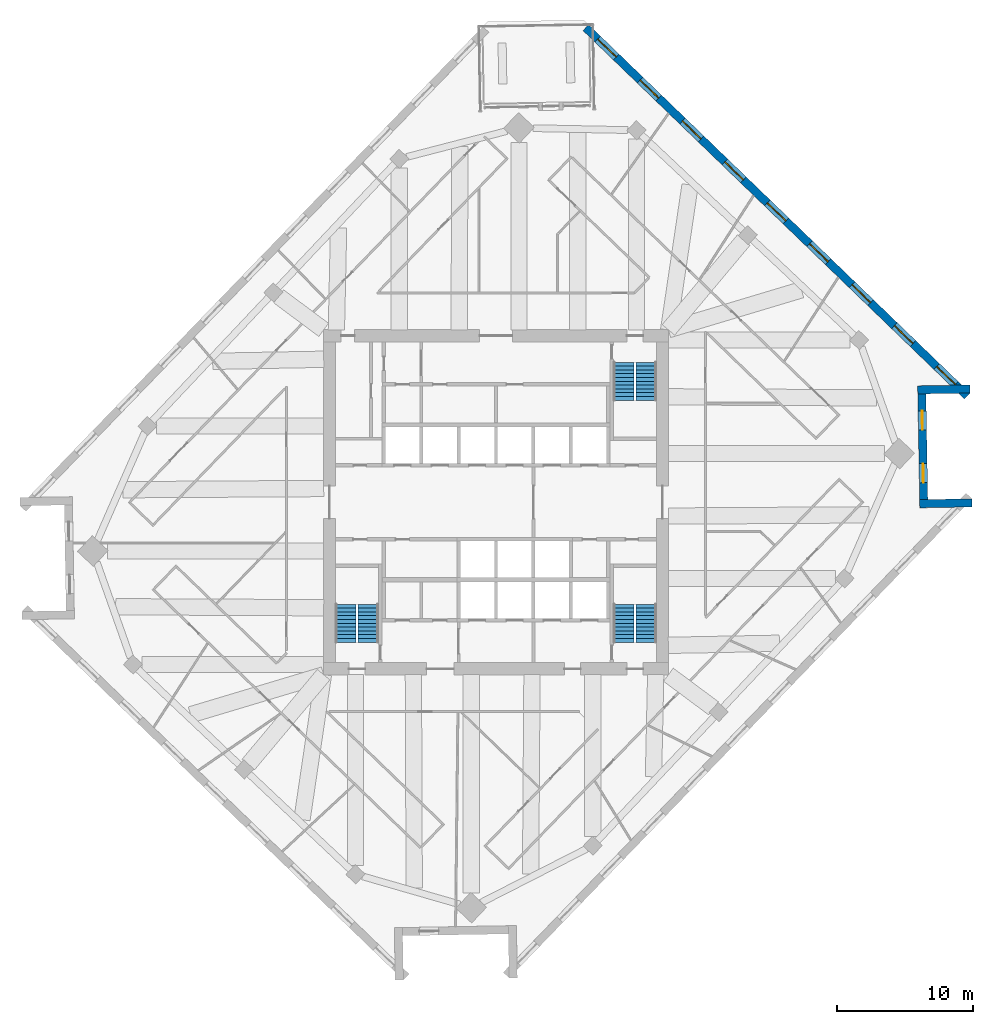
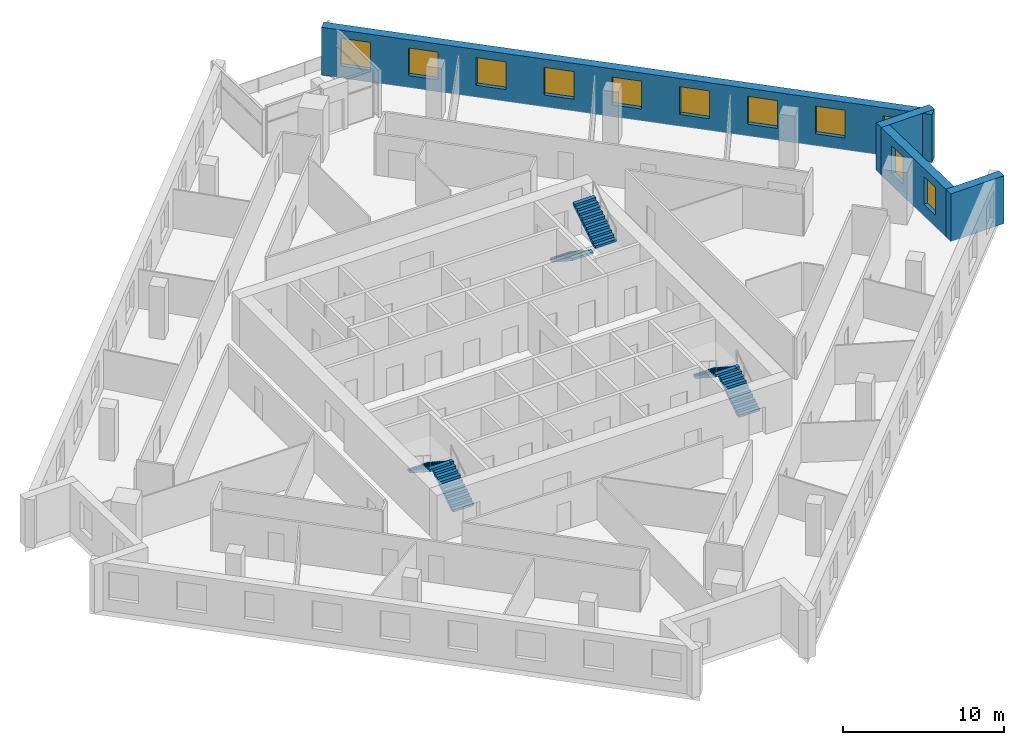
# One storey, part 11 of 13: 11 windows, 6 stair flights, 4 walls, 11 openings, 3 elements without a shape of their own.
"""IFC4 building model written with IfcOpenShell, lengths in metres."""

import ifcopenshell
import ifcopenshell.guid

model = None  # the IFC model being written
_history = None  # IfcOwnerHistory: only IFC2X3 demands one
_inside = {}  # id of a spatial element -> (the spatial element, [elements in it])
_under = {}  # id of a project, library or spatial element -> (it, [spatial elements below it])
_declared = {}  # id of a project -> (the project, [libraries it declares])
_typed = {}  # id of a type object -> (the type object, [elements of that type])
_made_of = {}  # id of a material, layer set ... -> (it, [elements and type objects made of it])


def new_model(schema):
    """Start an empty IFC model of exactly this schema.

    Asked for "IFC4X3", IfcOpenShell would pick the latest addendum, in which some entities
    have other attributes; the version numbers below select the first issue.
    IFC2X3 requires an IfcOwnerHistory on every rooted entity: one is made here for all.
    """
    global model, _history
    if schema == "IFC4X3":
        model = ifcopenshell.file(schema_version=(4, 3, 0, 0))
    else:
        model = ifcopenshell.file(schema=schema)
    _inside.clear()
    _under.clear()
    _declared.clear()
    _typed.clear()
    _made_of.clear()
    _history = None
    if model.schema == "IFC2X3":
        org = make("IfcOrganization", Name="unknown")
        user = make(
            "IfcPersonAndOrganization",
            ThePerson=make("IfcPerson", FamilyName="unknown"),
            TheOrganization=org,
        )
        app = make(
            "IfcApplication",
            ApplicationDeveloper=org,
            Version="unknown",
            ApplicationFullName="unknown",
            ApplicationIdentifier="unknown",
        )
        _history = make(
            "IfcOwnerHistory",
            OwningUser=user,
            OwningApplication=app,
            ChangeAction="ADDED",
            CreationDate=0,
        )
    return model


def make(cls, **values):
    """One entity of the class cls with the attributes given. An attribute that is None is left unset."""
    return model.create_entity(
        cls, **{name: value for name, value in values.items() if value is not None}
    )


def rooted(cls, **values):
    """An entity with a GlobalId (a new one), such as an element, a storey or a relation."""
    return make(cls, GlobalId=ifcopenshell.guid.new(), OwnerHistory=_history, **values)


def si_unit(unit_type, name, prefix=None):
    """IfcSIUnit, for example si_unit("LENGTHUNIT", "METRE", prefix="MILLI")."""
    return make("IfcSIUnit", UnitType=unit_type, Prefix=prefix, Name=name)


def assignment(units):
    """IfcUnitAssignment: the units of a project."""
    return None if units is None else make("IfcUnitAssignment", Units=units)


def point(xyz):
    """IfcCartesianPoint."""
    return None if xyz is None else make("IfcCartesianPoint", Coordinates=xyz)


def direction(xyz):
    """IfcDirection."""
    return None if xyz is None else make("IfcDirection", DirectionRatios=xyz)


def frame(location, z_axis=None, x_axis=None):
    """IfcAxis2Placement3D, a coordinate frame: its origin and axes. An axis left out is left unset."""
    return make(
        "IfcAxis2Placement3D",
        Location=point(location),
        Axis=direction(z_axis),
        RefDirection=direction(x_axis),
    )


def frame_2d(location, x_axis=None):
    """IfcAxis2Placement2D, a coordinate frame in the plane: its origin and x axis."""
    return make(
        "IfcAxis2Placement2D", Location=point(location), RefDirection=direction(x_axis)
    )


def origin():
    """The frame at (0, 0, 0) with its axes left unset."""
    return frame((0.0, 0.0, 0.0))


def place(relative_to, where):
    """IfcLocalPlacement: puts the frame where relative to a parent placement (None: the world)."""
    return make(
        "IfcLocalPlacement", PlacementRelTo=relative_to, RelativePlacement=where
    )


def context(
    kind, dimensions, precision=None, world=None, true_north=None, identifier=None
):
    """IfcGeometricRepresentationContext, for example the 3D "Model" context."""
    return make(
        "IfcGeometricRepresentationContext",
        ContextIdentifier=identifier,
        ContextType=kind,
        CoordinateSpaceDimension=dimensions,
        Precision=precision,
        WorldCoordinateSystem=world,
        TrueNorth=true_north,
    )


def subcontext(parent, identifier, kind, view, scale=None):
    """IfcGeometricRepresentationSubContext, for example "Body" below "Model"."""
    return make(
        "IfcGeometricRepresentationSubContext",
        ContextIdentifier=identifier,
        ContextType=kind,
        ParentContext=parent,
        TargetScale=scale,
        TargetView=view,
    )


def project(units=None, contexts=None):
    """IfcProject with its units and contexts."""
    return rooted(
        "IfcProject",
        Name="project",
        RepresentationContexts=contexts,
        UnitsInContext=assignment(units),
    )


def spatial(cls, under=None, at=None, **own):
    """A site, building, storey or space (cls), placed at a placement, below another one or the project."""
    s = rooted(cls, ObjectPlacement=at, **own)
    if under is not None:
        _under.setdefault(under.id(), (under, []))[1].append(s)
    return s


def polyline(points):
    """IfcPolyline through the points."""
    return make("IfcPolyline", Points=[point(p) for p in points])


def profile(cls, at=None, kind="AREA", **sizes):
    """A parametric profile (cls). Its sizes go by their IFC names, for example OverallWidth=200.0."""
    return make(cls, ProfileType=kind, Position=at, **sizes)


def rectangle(**sizes):
    """IfcRectangleProfileDef."""
    return profile("IfcRectangleProfileDef", **sizes)


def outline(outer, holes=None, kind="AREA"):
    """IfcArbitraryClosedProfileDef: a profile drawn as a closed curve; with holes, ...WithVoids."""
    if holes is None:
        return make("IfcArbitraryClosedProfileDef", ProfileType=kind, OuterCurve=outer)
    return make(
        "IfcArbitraryProfileDefWithVoids",
        ProfileType=kind,
        OuterCurve=outer,
        InnerCurves=holes,
    )


def extrude(swept, where, along, depth):
    """IfcExtrudedAreaSolid: the profile swept, set in the frame where, extruded along a direction by depth."""
    return make(
        "IfcExtrudedAreaSolid",
        SweptArea=swept,
        Position=where,
        ExtrudedDirection=direction(along),
        Depth=depth,
    )


def shape(context_of_items, identifier, shape_type, items):
    """IfcShapeRepresentation: the items that make up one representation, for example the "Body"."""
    return make(
        "IfcShapeRepresentation",
        ContextOfItems=context_of_items,
        RepresentationIdentifier=identifier,
        RepresentationType=shape_type,
        Items=items,
    )


def material(Name=None, Category=None):
    """IfcMaterial."""
    return make("IfcMaterial", Name=Name, Category=Category)


def layer(
    of_material, thickness, ventilated=None, Name=None, Category=None, Priority=None
):
    """IfcMaterialLayer: one layer of a wall or slab, of a material (None: an air gap)."""
    return make(
        "IfcMaterialLayer",
        Material=of_material,
        LayerThickness=thickness,
        IsVentilated=ventilated,
        Name=Name,
        Category=Category,
        Priority=Priority,
    )


def layer_set(layers, Name=None):
    """IfcMaterialLayerSet."""
    return make("IfcMaterialLayerSet", MaterialLayers=layers, LayerSetName=Name)


def made_of(thing, what):
    """Note that an element or type object is made of a material, layer set ...; save() writes the relation."""
    if what is not None:
        _made_of.setdefault(what.id(), (what, []))[1].append(thing)
    return thing


def type_object(cls, material=None, **own):
    """A type object (cls), such as IfcWallType, which elements share."""
    return made_of(rooted(cls, **own), material)


def element(
    cls,
    number,
    at=None,
    inside=None,
    cuts=None,
    type_object=None,
    material=None,
    context=None,
    identifier="Body",
    shape_type=None,
    held_by="IfcProductDefinitionShape",
    body=None,
    shapes=None,
    **own,
):
    """One element of the class cls, such as IfcWall. Its Tag is "e" and its number.

    at: its placement. inside: the storey or other place that contains it. cuts: it is an
    opening in that element (IfcRelVoidsElement). A single representation is given by context,
    identifier, shape_type and body (its items); several are given by shapes. held_by: the class
    of the entity that holds the representations. save() writes the other relations.
    """
    e = rooted(cls, Tag="e%d" % number, ObjectPlacement=at, **own)
    if body is not None:
        shapes = [shape(context, identifier, shape_type, body)]
    if shapes is not None:
        e.Representation = make(held_by, Representations=shapes)
    if inside is not None:
        _inside.setdefault(inside.id(), (inside, []))[1].append(e)
    if cuts is not None:
        rooted(
            "IfcRelVoidsElement", RelatingBuildingElement=cuts, RelatedOpeningElement=e
        )
    if type_object is not None:
        _typed.setdefault(type_object.id(), (type_object, []))[1].append(e)
    return made_of(e, material)


def fill(opening, filler):
    """IfcRelFillsElement: the door or window that sits in an opening."""
    return rooted(
        "IfcRelFillsElement",
        RelatingOpeningElement=opening,
        RelatedBuildingElement=filler,
    )


def aggregate(whole, parts):
    """IfcRelAggregates: a whole, such as a stair, and the parts it consists of."""
    return rooted("IfcRelAggregates", RelatingObject=whole, RelatedObjects=parts)


def save(model, path):
    """Write the relations noted so far, then the file.

    IfcRelAggregates (storeys below a building ...), IfcRelContainedInSpatialStructure (elements
    in a storey), IfcRelDefinesByType, IfcRelAssociatesMaterial and IfcRelDeclares: one each for
    every whole, place, type object, material and project.
    """
    for whole, parts in _under.values():
        aggregate(whole, parts)
    for where, things in _inside.values():
        rooted(
            "IfcRelContainedInSpatialStructure",
            RelatedElements=things,
            RelatingStructure=where,
        )
    for kind, things in _typed.values():
        rooted("IfcRelDefinesByType", RelatedObjects=things, RelatingType=kind)
    for what, things in _made_of.values():
        rooted("IfcRelAssociatesMaterial", RelatedObjects=things, RelatingMaterial=what)
    for by, libraries in _declared.values():
        rooted("IfcRelDeclares", RelatingContext=by, RelatedDefinitions=libraries)
    model.write(path)


model = new_model("IFC4")

# Units and contexts
model_context = context("Model", 3, precision=1e-05, world=origin(), true_north=direction((0.0, 1.0)))
body_context = subcontext(model_context, "Body", "Model", "MODEL_VIEW")
ifc_project = project(units=[si_unit("LENGTHUNIT", "METRE"), si_unit("AREAUNIT", "SQUARE_METRE"), si_unit("VOLUMEUNIT", "CUBIC_METRE"), si_unit("PLANEANGLEUNIT", "RADIAN"), si_unit("MASSUNIT", "GRAM", prefix="KILO")], contexts=[model_context])

# Site, building, storey
site_placement = place(None, origin())
site = spatial("IfcSite", under=ifc_project, at=site_placement, CompositionType="ELEMENT")
building_placement = place(site_placement, origin())
building = spatial("IfcBuilding", under=site, at=building_placement, Name="Dilmun Exchange Tower", CompositionType="ELEMENT")
storey_placement = place(building_placement, frame((0.0, 0.0, 205.300048828125)))
storey = spatial("IfcBuildingStorey", under=building, at=storey_placement, Name="L48", CompositionType="ELEMENT", Elevation=205.300048828125)

# Wall
ifc_material_1 = material(Name="Precast concrete C50/60", Category="concrete")
ifc_layer = layer(ifc_material_1, 0.60009765625)
ifc_layer_set = layer_set([ifc_layer], Name="Precast concrete C50/60")
wall_type = type_object("IfcWallType", Name="Precast stone-clad wall 600", PredefinedType="STANDARD", material=ifc_layer_set)
wall_1_placement = place(storey_placement, frame((35.0078125, -0.04248046875, 0.0), z_axis=(0.0, 0.0, 1.0), x_axis=(-0.999847642189, -0.017455440681, 0.0)))
element("IfcWall", 1, at=wall_1_placement, inside=storey, type_object=wall_type, Name="Facade wall L48-12", PredefinedType="STANDARD", context=body_context, shape_type="SweptSolid", body=[
    extrude(rectangle(XDim=3.84619140625, YDim=0.60009765625, at=frame_2d((1.923095703125, 0.0))), origin(), (0.0, 0.0, 1.0), 3.619873046875),
])

# Wall, openings, windows
wall_2_placement = place(storey_placement, frame((31.456787109375, 0.195556640625, 0.0), z_axis=(0.0, 0.0, 1.0), x_axis=(-0.017451978485, 0.999847702626, 0.0)))
wall_2 = element("IfcWall", 2, at=wall_2_placement, inside=storey, type_object=wall_type, Name="Facade wall L48-13", PredefinedType="STANDARD", context=body_context, shape_type="SweptSolid", body=[
    extrude(rectangle(XDim=7.778076171875, YDim=0.60009765625, at=frame_2d((3.88916015625, 0.0))), origin(), (0.0, 0.0, 1.0), 3.619873046875),
])
opening_1_placement = place(wall_2_placement, frame((1.244384765625, 0.0, 0.89990234375)))
opening_1 = element("IfcOpeningElement", 3, at=opening_1_placement, cuts=wall_2, Name="Opening W140-210", PredefinedType="OPENING", context=body_context, shape_type="SweptSolid", body=[
    extrude(rectangle(XDim=1.39990234375, YDim=2.10009765625, at=frame_2d((0.699951171875, 1.050048828125))), frame((0.0, 0.31005859375, 0.0), z_axis=(0.0, -1.0, 0.0), x_axis=(1.0, 0.0, 0.0)), (0.0, 0.0, 1.0), 0.6201171875),
])
opening_2_placement = place(wall_2_placement, frame((5.133544921875, 0.0, 0.89990234375)))
opening_2 = element("IfcOpeningElement", 4, at=opening_2_placement, cuts=wall_2, Name="Opening W140-210", PredefinedType="OPENING", context=body_context, shape_type="SweptSolid", body=[
    extrude(rectangle(XDim=1.39990234375, YDim=2.10009765625, at=frame_2d((0.699951171875, 1.050048828125))), frame((0.0, 0.31005859375, 0.0), z_axis=(0.0, -1.0, 0.0), x_axis=(1.0, 0.0, 0.0)), (0.0, 0.0, 1.0), 0.6201171875),
])
ifc_material_2 = material(Name="Clear low-emissivity glass in aluminium frame", Category="aluminium")
window_type_1 = type_object("IfcWindowType", Name="Punched window 1400 x 2100", PartitioningType="DOUBLE_PANEL_VERTICAL", PredefinedType="WINDOW", material=ifc_material_2)
window_1_placement = place(opening_1_placement, origin())
window_1 = element("IfcWindow", 5, at=window_1_placement, inside=storey, type_object=window_type_1, Name="Window 14.1", OverallHeight=2.10009765625, OverallWidth=1.39990234375, PartitioningType="SINGLE_PANEL", PredefinedType="WINDOW", context=body_context, shape_type="SweptSolid", body=[
    extrude(rectangle(XDim=1.39990234375, YDim=2.10009765625, at=frame_2d((0.699951171875, 1.050048828125))), frame((0.0, 0.030029296875, 0.0), z_axis=(0.0, -1.0, 0.0), x_axis=(1.0, 0.0, 0.0)), (0.0, 0.0, 1.0), 0.06005859375),
])
fill(opening_1, window_1)
window_2_placement = place(opening_2_placement, origin())
window_2 = element("IfcWindow", 6, at=window_2_placement, inside=storey, type_object=window_type_1, Name="Window 14.2", OverallHeight=2.10009765625, OverallWidth=1.39990234375, PartitioningType="SINGLE_PANEL", PredefinedType="WINDOW", context=body_context, shape_type="SweptSolid", body=[
    extrude(rectangle(XDim=1.39990234375, YDim=2.10009765625, at=frame_2d((0.699951171875, 1.050048828125))), frame((0.0, 0.030029296875, 0.0), z_axis=(0.0, -1.0, 0.0), x_axis=(1.0, 0.0, 0.0)), (0.0, 0.0, 1.0), 0.06005859375),
])
fill(opening_2, window_2)

# Wall
wall_3_placement = place(storey_placement, frame((31.015869140625, 8.26708984375, 0.0), z_axis=(0.0, 0.0, 1.0), x_axis=(0.999847642189, 0.017455440681, 0.0)))
element("IfcWall", 7, at=wall_3_placement, inside=storey, type_object=wall_type, Name="Facade wall L48-14", PredefinedType="STANDARD", context=body_context, shape_type="SweptSolid", body=[
    extrude(rectangle(XDim=3.84619140625, YDim=0.60009765625, at=frame_2d((1.923095703125, 0.0))), origin(), (0.0, 0.0, 1.0), 3.619873046875),
])

# Wall, openings, windows
wall_4_placement = place(storey_placement, frame((34.658447265625, 7.818603515625, 0.0), z_axis=(0.0, 0.0, 1.0), x_axis=(-0.719340729741, 0.694657408034, 0.0)))
wall_4 = element("IfcWall", 8, at=wall_4_placement, inside=storey, type_object=wall_type, Name="Facade wall L48-15", PredefinedType="STANDARD", context=body_context, shape_type="SweptSolid", body=[
    extrude(rectangle(XDim=38.999755859375, YDim=0.60009765625, at=frame_2d((19.5, 0.0))), origin(), (0.0, 0.0, 1.0), 3.619873046875),
])
opening_3_placement = place(wall_4_placement, frame((1.216796875, 0.0, 0.89990234375)))
opening_3 = element("IfcOpeningElement", 9, at=opening_3_placement, cuts=wall_4, Name="Opening W190-210", PredefinedType="OPENING", context=body_context, shape_type="SweptSolid", body=[
    extrude(rectangle(XDim=1.89990234375, YDim=2.10009765625, at=frame_2d((0.949951171875, 1.050048828125))), frame((0.0, 0.31005859375, 0.0), z_axis=(0.0, -1.0, 0.0), x_axis=(1.0, 0.0, 0.0)), (0.0, 0.0, 1.0), 0.6201171875),
])
opening_4_placement = place(wall_4_placement, frame((5.550048828125, 0.0, 0.89990234375)))
opening_4 = element("IfcOpeningElement", 10, at=opening_4_placement, cuts=wall_4, Name="Opening W190-210", PredefinedType="OPENING", context=body_context, shape_type="SweptSolid", body=[
    extrude(rectangle(XDim=1.89990234375, YDim=2.10009765625, at=frame_2d((0.949951171875, 1.050048828125))), frame((0.0, 0.31005859375, 0.0), z_axis=(0.0, -1.0, 0.0), x_axis=(1.0, 0.0, 0.0)), (0.0, 0.0, 1.0), 0.6201171875),
])
opening_5_placement = place(wall_4_placement, frame((9.88330078125, 0.0, 0.89990234375)))
opening_5 = element("IfcOpeningElement", 11, at=opening_5_placement, cuts=wall_4, Name="Opening W190-210", PredefinedType="OPENING", context=body_context, shape_type="SweptSolid", body=[
    extrude(rectangle(XDim=1.89990234375, YDim=2.10009765625, at=frame_2d((0.949951171875, 1.050048828125))), frame((0.0, 0.31005859375, 0.0), z_axis=(0.0, -1.0, 0.0), x_axis=(1.0, 0.0, 0.0)), (0.0, 0.0, 1.0), 0.6201171875),
])
opening_6_placement = place(wall_4_placement, frame((14.216796875, 0.0, 0.89990234375)))
opening_6 = element("IfcOpeningElement", 12, at=opening_6_placement, cuts=wall_4, Name="Opening W190-210", PredefinedType="OPENING", context=body_context, shape_type="SweptSolid", body=[
    extrude(rectangle(XDim=1.89990234375, YDim=2.10009765625, at=frame_2d((0.949951171875, 1.050048828125))), frame((0.0, 0.31005859375, 0.0), z_axis=(0.0, -1.0, 0.0), x_axis=(1.0, 0.0, 0.0)), (0.0, 0.0, 1.0), 0.6201171875),
])
opening_7_placement = place(wall_4_placement, frame((18.550048828125, 0.0, 0.89990234375)))
opening_7 = element("IfcOpeningElement", 13, at=opening_7_placement, cuts=wall_4, Name="Opening W190-210", PredefinedType="OPENING", context=body_context, shape_type="SweptSolid", body=[
    extrude(rectangle(XDim=1.89990234375, YDim=2.10009765625, at=frame_2d((0.949951171875, 1.050048828125))), frame((0.0, 0.31005859375, 0.0), z_axis=(0.0, -1.0, 0.0), x_axis=(1.0, 0.0, 0.0)), (0.0, 0.0, 1.0), 0.6201171875),
])
opening_8_placement = place(wall_4_placement, frame((22.88330078125, 0.0, 0.89990234375)))
opening_8 = element("IfcOpeningElement", 14, at=opening_8_placement, cuts=wall_4, Name="Opening W190-210", PredefinedType="OPENING", context=body_context, shape_type="SweptSolid", body=[
    extrude(rectangle(XDim=1.89990234375, YDim=2.10009765625, at=frame_2d((0.949951171875, 1.050048828125))), frame((0.0, 0.31005859375, 0.0), z_axis=(0.0, -1.0, 0.0), x_axis=(1.0, 0.0, 0.0)), (0.0, 0.0, 1.0), 0.6201171875),
])
opening_9_placement = place(wall_4_placement, frame((27.216796875, 0.0, 0.89990234375)))
opening_9 = element("IfcOpeningElement", 15, at=opening_9_placement, cuts=wall_4, Name="Opening W190-210", PredefinedType="OPENING", context=body_context, shape_type="SweptSolid", body=[
    extrude(rectangle(XDim=1.89990234375, YDim=2.10009765625, at=frame_2d((0.949951171875, 1.050048828125))), frame((0.0, 0.31005859375, 0.0), z_axis=(0.0, -1.0, 0.0), x_axis=(1.0, 0.0, 0.0)), (0.0, 0.0, 1.0), 0.6201171875),
])
opening_10_placement = place(wall_4_placement, frame((31.550048828125, 0.0, 0.89990234375)))
opening_10 = element("IfcOpeningElement", 16, at=opening_10_placement, cuts=wall_4, Name="Opening W190-210", PredefinedType="OPENING", context=body_context, shape_type="SweptSolid", body=[
    extrude(rectangle(XDim=1.89990234375, YDim=2.10009765625, at=frame_2d((0.949951171875, 1.050048828125))), frame((0.0, 0.31005859375, 0.0), z_axis=(0.0, -1.0, 0.0), x_axis=(1.0, 0.0, 0.0)), (0.0, 0.0, 1.0), 0.6201171875),
])
opening_11_placement = place(wall_4_placement, frame((35.88330078125, 0.0, 0.89990234375)))
opening_11 = element("IfcOpeningElement", 17, at=opening_11_placement, cuts=wall_4, Name="Opening W190-210", PredefinedType="OPENING", context=body_context, shape_type="SweptSolid", body=[
    extrude(rectangle(XDim=1.89990234375, YDim=2.10009765625, at=frame_2d((0.949951171875, 1.050048828125))), frame((0.0, 0.31005859375, 0.0), z_axis=(0.0, -1.0, 0.0), x_axis=(1.0, 0.0, 0.0)), (0.0, 0.0, 1.0), 0.6201171875),
])
window_type_2 = type_object("IfcWindowType", Name="Punched window 1900 x 2100", PartitioningType="DOUBLE_PANEL_VERTICAL", PredefinedType="WINDOW", material=ifc_material_2)
window_3_placement = place(opening_3_placement, origin())
window_3 = element("IfcWindow", 18, at=window_3_placement, inside=storey, type_object=window_type_2, Name="Window 16.1", OverallHeight=2.10009765625, OverallWidth=1.89990234375, PartitioningType="SINGLE_PANEL", PredefinedType="WINDOW", context=body_context, shape_type="SweptSolid", body=[
    extrude(rectangle(XDim=1.89990234375, YDim=2.10009765625, at=frame_2d((0.949951171875, 1.050048828125))), frame((0.0, 0.030029296875, 0.0), z_axis=(0.0, -1.0, 0.0), x_axis=(1.0, 0.0, 0.0)), (0.0, 0.0, 1.0), 0.06005859375),
])
fill(opening_3, window_3)
window_4_placement = place(opening_4_placement, origin())
window_4 = element("IfcWindow", 19, at=window_4_placement, inside=storey, type_object=window_type_2, Name="Window 16.2", OverallHeight=2.10009765625, OverallWidth=1.89990234375, PartitioningType="SINGLE_PANEL", PredefinedType="WINDOW", context=body_context, shape_type="SweptSolid", body=[
    extrude(rectangle(XDim=1.89990234375, YDim=2.10009765625, at=frame_2d((0.949951171875, 1.050048828125))), frame((0.0, 0.030029296875, 0.0), z_axis=(0.0, -1.0, 0.0), x_axis=(1.0, 0.0, 0.0)), (0.0, 0.0, 1.0), 0.06005859375),
])
fill(opening_4, window_4)
window_5_placement = place(opening_5_placement, origin())
window_5 = element("IfcWindow", 20, at=window_5_placement, inside=storey, type_object=window_type_2, Name="Window 16.3", OverallHeight=2.10009765625, OverallWidth=1.89990234375, PartitioningType="SINGLE_PANEL", PredefinedType="WINDOW", context=body_context, shape_type="SweptSolid", body=[
    extrude(rectangle(XDim=1.89990234375, YDim=2.10009765625, at=frame_2d((0.949951171875, 1.050048828125))), frame((0.0, 0.030029296875, 0.0), z_axis=(0.0, -1.0, 0.0), x_axis=(1.0, 0.0, 0.0)), (0.0, 0.0, 1.0), 0.06005859375),
])
fill(opening_5, window_5)
window_6_placement = place(opening_6_placement, origin())
window_6 = element("IfcWindow", 21, at=window_6_placement, inside=storey, type_object=window_type_2, Name="Window 16.4", OverallHeight=2.10009765625, OverallWidth=1.89990234375, PartitioningType="SINGLE_PANEL", PredefinedType="WINDOW", context=body_context, shape_type="SweptSolid", body=[
    extrude(rectangle(XDim=1.89990234375, YDim=2.10009765625, at=frame_2d((0.949951171875, 1.050048828125))), frame((0.0, 0.030029296875, 0.0), z_axis=(0.0, -1.0, 0.0), x_axis=(1.0, 0.0, 0.0)), (0.0, 0.0, 1.0), 0.06005859375),
])
fill(opening_6, window_6)
window_7_placement = place(opening_7_placement, origin())
window_7 = element("IfcWindow", 22, at=window_7_placement, inside=storey, type_object=window_type_2, Name="Window 16.5", OverallHeight=2.10009765625, OverallWidth=1.89990234375, PartitioningType="SINGLE_PANEL", PredefinedType="WINDOW", context=body_context, shape_type="SweptSolid", body=[
    extrude(rectangle(XDim=1.89990234375, YDim=2.10009765625, at=frame_2d((0.949951171875, 1.050048828125))), frame((0.0, 0.030029296875, 0.0), z_axis=(0.0, -1.0, 0.0), x_axis=(1.0, 0.0, 0.0)), (0.0, 0.0, 1.0), 0.06005859375),
])
fill(opening_7, window_7)
window_8_placement = place(opening_8_placement, origin())
window_8 = element("IfcWindow", 23, at=window_8_placement, inside=storey, type_object=window_type_2, Name="Window 16.6", OverallHeight=2.10009765625, OverallWidth=1.89990234375, PartitioningType="SINGLE_PANEL", PredefinedType="WINDOW", context=body_context, shape_type="SweptSolid", body=[
    extrude(rectangle(XDim=1.89990234375, YDim=2.10009765625, at=frame_2d((0.949951171875, 1.050048828125))), frame((0.0, 0.030029296875, 0.0), z_axis=(0.0, -1.0, 0.0), x_axis=(1.0, 0.0, 0.0)), (0.0, 0.0, 1.0), 0.06005859375),
])
fill(opening_8, window_8)
window_9_placement = place(opening_9_placement, origin())
window_9 = element("IfcWindow", 24, at=window_9_placement, inside=storey, type_object=window_type_2, Name="Window 16.7", OverallHeight=2.10009765625, OverallWidth=1.89990234375, PartitioningType="SINGLE_PANEL", PredefinedType="WINDOW", context=body_context, shape_type="SweptSolid", body=[
    extrude(rectangle(XDim=1.89990234375, YDim=2.10009765625, at=frame_2d((0.949951171875, 1.050048828125))), frame((0.0, 0.030029296875, 0.0), z_axis=(0.0, -1.0, 0.0), x_axis=(1.0, 0.0, 0.0)), (0.0, 0.0, 1.0), 0.06005859375),
])
fill(opening_9, window_9)
window_10_placement = place(opening_10_placement, origin())
window_10 = element("IfcWindow", 25, at=window_10_placement, inside=storey, type_object=window_type_2, Name="Window 16.8", OverallHeight=2.10009765625, OverallWidth=1.89990234375, PartitioningType="SINGLE_PANEL", PredefinedType="WINDOW", context=body_context, shape_type="SweptSolid", body=[
    extrude(rectangle(XDim=1.89990234375, YDim=2.10009765625, at=frame_2d((0.949951171875, 1.050048828125))), frame((0.0, 0.030029296875, 0.0), z_axis=(0.0, -1.0, 0.0), x_axis=(1.0, 0.0, 0.0)), (0.0, 0.0, 1.0), 0.06005859375),
])
fill(opening_10, window_10)
window_11_placement = place(opening_11_placement, origin())
window_11 = element("IfcWindow", 26, at=window_11_placement, inside=storey, type_object=window_type_2, Name="Window 16.9", OverallHeight=2.10009765625, OverallWidth=1.89990234375, PartitioningType="SINGLE_PANEL", PredefinedType="WINDOW", context=body_context, shape_type="SweptSolid", body=[
    extrude(rectangle(XDim=1.89990234375, YDim=2.10009765625, at=frame_2d((0.949951171875, 1.050048828125))), frame((0.0, 0.030029296875, 0.0), z_axis=(0.0, -1.0, 0.0), x_axis=(1.0, 0.0, 0.0)), (0.0, 0.0, 1.0), 0.06005859375),
])
fill(opening_11, window_11)

# Stair, stair flights
ifc_material_3 = material(Name="Concrete C40/50", Category="concrete")
stair_type = type_object("IfcStairType", Name="Exit stair 1500 half-turn", PredefinedType="HALF_TURN_STAIR", material=ifc_material_3)
stair_1_placement = place(storey_placement, origin())
stair_1 = element("IfcStair", 27, at=stair_1_placement, inside=storey, type_object=stair_type, Name="L48 Protected exit stair ST1", PredefinedType="HALF_TURN_STAIR")
stair_flight_type = type_object("IfcStairFlightType", Name="Exit stair flight 1500", PredefinedType="STRAIGHT", material=ifc_material_3)
stair_flight_1_placement = place(storey_placement, frame((9.39990234375, 10.300048828125, 0.0), z_axis=(0.0, 0.0, 1.0), x_axis=(0.0, -1.0, 0.0)))
stair_flight_1 = element("IfcStairFlight", 28, at=stair_flight_1_placement, type_object=stair_flight_type, Name="ST1 flight 1", NumberOfRisers=11, NumberOfTreads=10, PredefinedType="STRAIGHT", RiserHeight=0.181818182, TreadLength=0.28, context=body_context, shape_type="SweptSolid", body=[
    extrude(outline(polyline([(0.0, 0.0), (0.0, 0.181884765625), (0.280029296875, 0.181884765625), (0.280029296875, 0.363525390625), (0.56005859375, 0.363525390625), (0.56005859375, 0.54541015625), (0.840087890625, 0.54541015625), (0.840087890625, 0.727294921875), (1.1201171875, 0.727294921875), (1.1201171875, 0.9091796875), (1.39990234375, 0.9091796875), (1.39990234375, 1.0908203125), (1.679931640625, 1.0908203125), (1.679931640625, 1.272705078125), (1.9599609375, 1.272705078125), (1.9599609375, 1.45458984375), (2.239990234375, 1.45458984375), (2.239990234375, 1.636474609375), (2.52001953125, 1.636474609375), (2.52001953125, 1.818115234375), (2.800048828125, 1.818115234375), (2.800048828125, 2.0), (2.800048828125, 1.639404296875), (0.275146484375, 0.0), (0.0, 0.0)])), frame((0.0, 0.75, 0.0), z_axis=(0.0, -1.0, 0.0), x_axis=(1.0, 0.0, 0.0)), (0.0, 0.0, 1.0), 1.5),
])
stair_flight_2_placement = place(storey_placement, frame((11.050048828125, 7.5, 2.0), z_axis=(0.0, 0.0, 1.0), x_axis=(0.0, 1.0, 0.0)))
stair_flight_2 = element("IfcStairFlight", 29, at=stair_flight_2_placement, type_object=stair_flight_type, Name="ST1 flight 2", NumberOfRisers=11, NumberOfTreads=10, PredefinedType="STRAIGHT", RiserHeight=0.181818182, TreadLength=0.28, context=body_context, shape_type="SweptSolid", body=[
    extrude(outline(polyline([(0.0, 0.0), (0.0, 0.181884765625), (0.280029296875, 0.181884765625), (0.280029296875, 0.363525390625), (0.56005859375, 0.363525390625), (0.56005859375, 0.54541015625), (0.840087890625, 0.54541015625), (0.840087890625, 0.727294921875), (1.1201171875, 0.727294921875), (1.1201171875, 0.9091796875), (1.39990234375, 0.9091796875), (1.39990234375, 1.0908203125), (1.679931640625, 1.0908203125), (1.679931640625, 1.272705078125), (1.9599609375, 1.272705078125), (1.9599609375, 1.45458984375), (2.239990234375, 1.45458984375), (2.239990234375, 1.636474609375), (2.52001953125, 1.636474609375), (2.52001953125, 1.818115234375), (2.800048828125, 1.818115234375), (2.800048828125, 2.0), (2.800048828125, 1.639404296875), (0.275146484375, 0.0), (0.0, 0.0)])), frame((0.0, 0.75, 0.0), z_axis=(0.0, -1.0, 0.0), x_axis=(1.0, 0.0, 0.0)), (0.0, 0.0, 1.0), 1.5),
])
aggregate(stair_1, [stair_flight_1, stair_flight_2])

stair_2_placement = place(storey_placement, origin())
stair_2 = element("IfcStair", 30, at=stair_2_placement, inside=storey, type_object=stair_type, Name="L48 Protected exit stair ST2", PredefinedType="HALF_TURN_STAIR")
stair_flight_3_placement = place(storey_placement, frame((-9.39990234375, -10.300048828125, 0.0), z_axis=(0.0, 0.0, 1.0), x_axis=(0.0, 1.0, 0.0)))
stair_flight_3 = element("IfcStairFlight", 31, at=stair_flight_3_placement, type_object=stair_flight_type, Name="ST2 flight 1", NumberOfRisers=11, NumberOfTreads=10, PredefinedType="STRAIGHT", RiserHeight=0.181818182, TreadLength=0.28, context=body_context, shape_type="SweptSolid", body=[
    extrude(outline(polyline([(0.0, 0.0), (0.0, 0.181884765625), (0.280029296875, 0.181884765625), (0.280029296875, 0.363525390625), (0.56005859375, 0.363525390625), (0.56005859375, 0.54541015625), (0.840087890625, 0.54541015625), (0.840087890625, 0.727294921875), (1.1201171875, 0.727294921875), (1.1201171875, 0.9091796875), (1.39990234375, 0.9091796875), (1.39990234375, 1.0908203125), (1.679931640625, 1.0908203125), (1.679931640625, 1.272705078125), (1.9599609375, 1.272705078125), (1.9599609375, 1.45458984375), (2.239990234375, 1.45458984375), (2.239990234375, 1.636474609375), (2.52001953125, 1.636474609375), (2.52001953125, 1.818115234375), (2.800048828125, 1.818115234375), (2.800048828125, 2.0), (2.800048828125, 1.639404296875), (0.275146484375, 0.0), (0.0, 0.0)])), frame((0.0, 0.75, 0.0), z_axis=(0.0, -1.0, 0.0), x_axis=(1.0, 0.0, 0.0)), (0.0, 0.0, 1.0), 1.5),
])
stair_flight_4_placement = place(storey_placement, frame((-11.050048828125, -7.5, 2.0), z_axis=(0.0, 0.0, 1.0), x_axis=(0.0, -1.0, 0.0)))
stair_flight_4 = element("IfcStairFlight", 32, at=stair_flight_4_placement, type_object=stair_flight_type, Name="ST2 flight 2", NumberOfRisers=11, NumberOfTreads=10, PredefinedType="STRAIGHT", RiserHeight=0.181818182, TreadLength=0.28, context=body_context, shape_type="SweptSolid", body=[
    extrude(outline(polyline([(0.0, 0.0), (0.0, 0.181884765625), (0.280029296875, 0.181884765625), (0.280029296875, 0.363525390625), (0.56005859375, 0.363525390625), (0.56005859375, 0.54541015625), (0.840087890625, 0.54541015625), (0.840087890625, 0.727294921875), (1.1201171875, 0.727294921875), (1.1201171875, 0.9091796875), (1.39990234375, 0.9091796875), (1.39990234375, 1.0908203125), (1.679931640625, 1.0908203125), (1.679931640625, 1.272705078125), (1.9599609375, 1.272705078125), (1.9599609375, 1.45458984375), (2.239990234375, 1.45458984375), (2.239990234375, 1.636474609375), (2.52001953125, 1.636474609375), (2.52001953125, 1.818115234375), (2.800048828125, 1.818115234375), (2.800048828125, 2.0), (2.800048828125, 1.639404296875), (0.275146484375, 0.0), (0.0, 0.0)])), frame((0.0, 0.75, 0.0), z_axis=(0.0, -1.0, 0.0), x_axis=(1.0, 0.0, 0.0)), (0.0, 0.0, 1.0), 1.5),
])
aggregate(stair_2, [stair_flight_3, stair_flight_4])

stair_3_placement = place(storey_placement, origin())
stair_3 = element("IfcStair", 33, at=stair_3_placement, inside=storey, type_object=stair_type, Name="L48 Protected exit stair ST3", PredefinedType="HALF_TURN_STAIR")
stair_flight_5_placement = place(storey_placement, frame((11.050048828125, -10.300048828125, 0.0), z_axis=(0.0, 0.0, 1.0), x_axis=(0.0, 1.0, 0.0)))
stair_flight_5 = element("IfcStairFlight", 34, at=stair_flight_5_placement, type_object=stair_flight_type, Name="ST3 flight 1", NumberOfRisers=11, NumberOfTreads=10, PredefinedType="STRAIGHT", RiserHeight=0.181818182, TreadLength=0.28, context=body_context, shape_type="SweptSolid", body=[
    extrude(outline(polyline([(0.0, 0.0), (0.0, 0.181884765625), (0.280029296875, 0.181884765625), (0.280029296875, 0.363525390625), (0.56005859375, 0.363525390625), (0.56005859375, 0.54541015625), (0.840087890625, 0.54541015625), (0.840087890625, 0.727294921875), (1.1201171875, 0.727294921875), (1.1201171875, 0.9091796875), (1.39990234375, 0.9091796875), (1.39990234375, 1.0908203125), (1.679931640625, 1.0908203125), (1.679931640625, 1.272705078125), (1.9599609375, 1.272705078125), (1.9599609375, 1.45458984375), (2.239990234375, 1.45458984375), (2.239990234375, 1.636474609375), (2.52001953125, 1.636474609375), (2.52001953125, 1.818115234375), (2.800048828125, 1.818115234375), (2.800048828125, 2.0), (2.800048828125, 1.639404296875), (0.275146484375, 0.0), (0.0, 0.0)])), frame((0.0, 0.75, 0.0), z_axis=(0.0, -1.0, 0.0), x_axis=(1.0, 0.0, 0.0)), (0.0, 0.0, 1.0), 1.5),
])
stair_flight_6_placement = place(storey_placement, frame((9.39990234375, -7.5, 2.0), z_axis=(0.0, 0.0, 1.0), x_axis=(0.0, -1.0, 0.0)))
stair_flight_6 = element("IfcStairFlight", 35, at=stair_flight_6_placement, type_object=stair_flight_type, Name="ST3 flight 2", NumberOfRisers=11, NumberOfTreads=10, PredefinedType="STRAIGHT", RiserHeight=0.181818182, TreadLength=0.28, context=body_context, shape_type="SweptSolid", body=[
    extrude(outline(polyline([(0.0, 0.0), (0.0, 0.181884765625), (0.280029296875, 0.181884765625), (0.280029296875, 0.363525390625), (0.56005859375, 0.363525390625), (0.56005859375, 0.54541015625), (0.840087890625, 0.54541015625), (0.840087890625, 0.727294921875), (1.1201171875, 0.727294921875), (1.1201171875, 0.9091796875), (1.39990234375, 0.9091796875), (1.39990234375, 1.0908203125), (1.679931640625, 1.0908203125), (1.679931640625, 1.272705078125), (1.9599609375, 1.272705078125), (1.9599609375, 1.45458984375), (2.239990234375, 1.45458984375), (2.239990234375, 1.636474609375), (2.52001953125, 1.636474609375), (2.52001953125, 1.818115234375), (2.800048828125, 1.818115234375), (2.800048828125, 2.0), (2.800048828125, 1.639404296875), (0.275146484375, 0.0), (0.0, 0.0)])), frame((0.0, 0.75, 0.0), z_axis=(0.0, -1.0, 0.0), x_axis=(1.0, 0.0, 0.0)), (0.0, 0.0, 1.0), 1.5),
])
aggregate(stair_3, [stair_flight_5, stair_flight_6])

save(model, "model.ifc")
